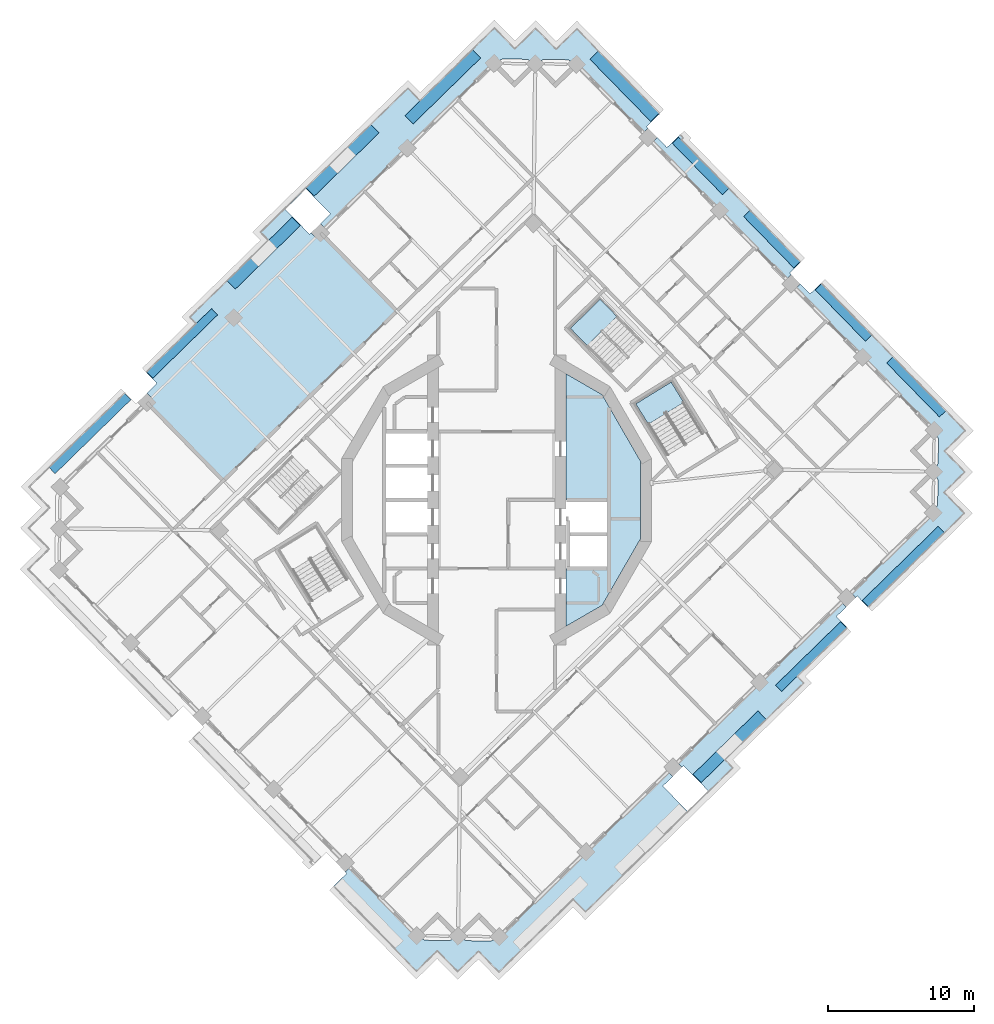
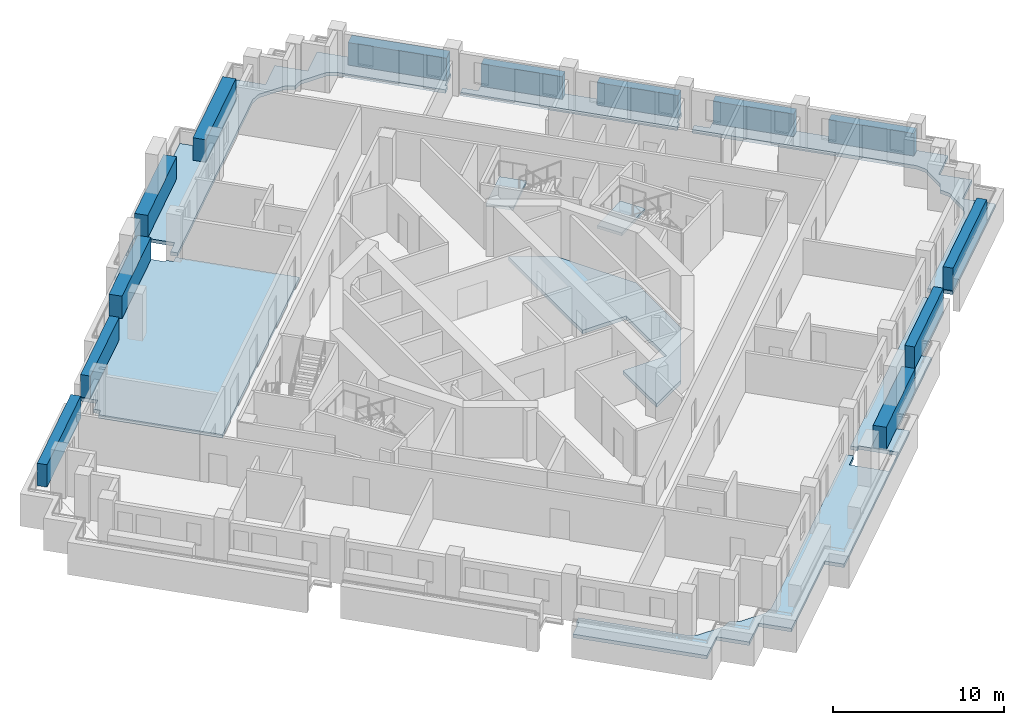
# One storey, part 3 of 17: 13 plates, 8 slabs, 2 elements without a shape of their own.
"""IFC4 building model written with IfcOpenShell, lengths in metres."""

from ifc_helpers import new_model, si_unit, direction, frame, origin, origin_2d, place, context, subcontext, project, spatial, polyline, rectangle, outline, extrude, material, layer, layer_set, type_object, element, aggregate, save


model = new_model("IFC4")

# Units and contexts
model_context = context("Model", 3, precision=1e-05, world=origin(), true_north=direction((0.0, 1.0)))
body_context = subcontext(model_context, "Body", "Model", "MODEL_VIEW")
ifc_project = project(units=[si_unit("LENGTHUNIT", "METRE"), si_unit("AREAUNIT", "SQUARE_METRE"), si_unit("VOLUMEUNIT", "CUBIC_METRE"), si_unit("PLANEANGLEUNIT", "RADIAN"), si_unit("MASSUNIT", "GRAM", prefix="KILO")], contexts=[model_context])

# Site, building, storey
site_placement = place(None, origin())
site = spatial("IfcSite", under=ifc_project, at=site_placement, CompositionType="ELEMENT")
building_placement = place(site_placement, origin())
building = spatial("IfcBuilding", under=site, at=building_placement, Name="Cantera Rosa Tower", CompositionType="ELEMENT")
storey_placement = place(building_placement, frame((0.0, 0.0, 227.0)))
storey = spatial("IfcBuildingStorey", under=building, at=storey_placement, Name="L49", CompositionType="ELEMENT", Elevation=227.0)

# Slabs
ifc_material_1 = material(Name="Concrete C35/45", Category="concrete")
ifc_layer_1 = layer(ifc_material_1, 0.25)
ifc_layer_set_1 = layer_set([ifc_layer_1], Name="COMPOSITE FLOOR SLAB 250 C35/45")
slab_type_1 = type_object("IfcSlabType", Name="COMPOSITE FLOOR SLAB 250 C35/45", PredefinedType="FLOOR", material=ifc_layer_set_1)
slab_1_placement = place(storey_placement, frame((0.0, 0.0, -0.25)))
element("IfcSlab", 1, at=slab_1_placement, inside=storey, type_object=slab_type_1, Name="SLAB L49 floor 3", PredefinedType="FLOOR", context=body_context, shape_type="SweptSolid", body=[
    extrude(outline(polyline([(7.699951171875, 0.0), (4.75, 0.0), (4.75, 8.660400390625), (7.22900390625, 7.22900390625), (9.875244140625, 2.64599609375), (9.875244140625, -2.64599609375), (7.22900390625, -7.22900390625), (4.75, -8.660400390625), (4.75, -4.699951171875), (7.699951171875, -4.699951171875), (7.699951171875, -2.35009765625), (7.699951171875, 0.0)])), origin(), (0.0, 0.0, 1.0), 0.25),
])
ifc_material_2 = material(Name="Concrete C35/45", Category="concrete")
ifc_layer_2 = layer(ifc_material_2, 0.25)
ifc_layer_set_2 = layer_set([ifc_layer_2], Name="LOGGIA SLAB 250 C35/45")
slab_type_2 = type_object("IfcSlabType", Name="LOGGIA SLAB 250 C35/45", PredefinedType="FLOOR", material=ifc_layer_set_2)
slab_2_placement = place(storey_placement, frame((0.0, 0.0, -0.25)))
element("IfcSlab", 2, at=slab_2_placement, inside=storey, type_object=slab_type_2, Name="LOGGIA SLAB L49 3", PredefinedType="FLOOR", context=body_context, shape_type="SweptSolid", body=[
    extrude(outline(polyline([(1.0341796875, 31.13818359375), (1.243896484375, 30.923583984375), (1.45849609375, 31.13330078125), (2.67431640625, 32.3212890625), (3.8623046875, 31.105224609375), (4.072021484375, 30.890625), (4.28662109375, 31.100341796875), (5.502685546875, 32.288330078125), (6.690673828125, 31.072265625), (11.177001953125, 26.480224609375), (10.282958984375, 25.606689453125), (10.3876953125, 25.499267578125), (10.06591796875, 25.184814453125), (5.474609375, 29.88427734375), (4.982666015625, 30.154541015625), (4.956298828125, 30.16748046875), (4.9287109375, 30.177734375), (4.900146484375, 30.185302734375), (4.87109375, 30.18994140625), (4.841796875, 30.191650390625), (3.2861328125, 30.209716796875), (3.2568359375, 30.208740234375), (3.2275390625, 30.20458984375), (3.198974609375, 30.197998046875), (3.171142578125, 30.188232421875), (3.144287109375, 30.176025390625), (2.646484375, 29.917236328125), (2.154541015625, 30.1875), (2.1279296875, 30.200439453125), (2.100341796875, 30.210693359375), (2.072021484375, 30.218017578125), (2.04296875, 30.222900390625), (2.013427734375, 30.224609375), (0.4580078125, 30.24267578125), (0.4287109375, 30.24169921875), (0.3994140625, 30.237548828125), (0.37060546875, 30.230712890625), (0.343017578125, 30.22119140625), (0.316162109375, 30.208984375), (-0.181884765625, 29.9501953125), (-0.883056640625, 29.26513671875), (-11.76220703125, 18.635986328125), (-12.076904296875, 18.9580078125), (-11.397216796875, 19.621826171875), (-13.074462890625, 21.33837890625), (-14.075927734375, 20.360107421875), (-14.107421875, 20.392578125), (-6.08544921875, 28.22998046875), (-5.25, 27.375), (-1.369873046875, 31.166015625), (-0.15380859375, 32.35400390625), (1.0341796875, 31.13818359375)])), origin(), (0.0, 0.0, 1.0), 0.25),
])
slab_3_placement = place(storey_placement, frame((0.0, 0.0, -0.25)))
element("IfcSlab", 3, at=slab_3_placement, inside=storey, type_object=slab_type_2, Name="LOGGIA SLAB L49 4", PredefinedType="FLOOR", context=body_context, shape_type="SweptSolid", body=[
    extrude(outline(polyline([(-1.243896484375, -30.923583984375), (-1.45849609375, -31.13330078125), (-2.67431640625, -32.3212890625), (-3.8623046875, -31.105224609375), (-4.072021484375, -30.890625), (-4.28662109375, -31.100341796875), (-5.502685546875, -32.288330078125), (-6.690673828125, -31.072265625), (-11.177001953125, -26.480224609375), (-10.282958984375, -25.606689453125), (-10.3876953125, -25.499267578125), (-10.06591796875, -25.184814453125), (-5.474609375, -29.88427734375), (-4.982666015625, -30.154541015625), (-4.956298828125, -30.16748046875), (-4.9287109375, -30.177734375), (-4.900146484375, -30.185302734375), (-4.87109375, -30.18994140625), (-4.841796875, -30.191650390625), (-3.2861328125, -30.209716796875), (-3.2568359375, -30.208740234375), (-3.2275390625, -30.20458984375), (-3.198974609375, -30.197998046875), (-3.171142578125, -30.188232421875), (-3.144287109375, -30.176025390625), (-2.646484375, -29.917236328125), (-2.154541015625, -30.1875), (-2.1279296875, -30.200439453125), (-2.100341796875, -30.210693359375), (-2.072021484375, -30.218017578125), (-2.04296875, -30.222900390625), (-2.013427734375, -30.224609375), (-0.4580078125, -30.24267578125), (-0.4287109375, -30.24169921875), (-0.3994140625, -30.237548828125), (-0.37060546875, -30.230712890625), (-0.343017578125, -30.22119140625), (-0.316162109375, -30.208984375), (0.181884765625, -29.9501953125), (0.883056640625, -29.26513671875), (11.76220703125, -18.635986328125), (12.076904296875, -18.9580078125), (11.397216796875, -19.621826171875), (13.074462890625, -21.33837890625), (14.505126953125, -19.94091796875), (12.827880859375, -18.22412109375), (12.720703125, -18.3291015625), (12.406005859375, -18.007080078125), (23.664794921875, -7.007568359375), (23.979248046875, -7.329345703125), (23.2998046875, -7.9931640625), (24.035888671875, -8.746826171875), (20.601806640625, -12.101806640625), (21.031982421875, -12.5419921875), (15.635986328125, -17.81396484375), (16.178466796875, -18.369140625), (6.08544921875, -28.22998046875), (5.25, -27.375), (1.369873046875, -31.166015625), (0.15380859375, -32.35400390625), (-1.0341796875, -31.13818359375), (-1.243896484375, -30.923583984375)])), origin(), (0.0, 0.0, 1.0), 0.25),
])
slab_4_placement = place(storey_placement, frame((0.0, 0.0, -0.25)))
element("IfcSlab", 4, at=slab_4_placement, inside=storey, type_object=slab_type_2, Name="LOGGIA SLAB L49 5", PredefinedType="FLOOR", context=body_context, shape_type="SweptSolid", body=[
    extrude(outline(polyline([(20.845703125, 16.2978515625), (20.094482421875, 15.56396484375), (20.199462890625, 15.456787109375), (19.87744140625, 15.14208984375), (10.69482421875, 24.541015625), (11.016845703125, 24.855712890625), (11.6806640625, 24.176025390625), (12.57470703125, 25.049560546875), (12.784423828125, 24.8349609375), (12.6513671875, 24.705078125), (17.42724609375, 19.81689453125), (17.417236328125, 19.806884765625), (20.216796875, 16.94140625), (20.845703125, 16.2978515625)])), origin(), (0.0, 0.0, 1.0), 0.25),
])
slab_5_placement = place(storey_placement, frame((0.0, 0.0, -0.25)))
element("IfcSlab", 5, at=slab_5_placement, inside=storey, type_object=slab_type_2, Name="LOGGIA SLAB L49 6", PredefinedType="FLOOR", context=body_context, shape_type="SweptSolid", body=[
    extrude(outline(polyline([(32.124755859375, 4.753173828125), (31.0517578125, 3.704833984375), (30.694091796875, 3.35546875), (31.043701171875, 2.997802734375), (32.091796875, 1.9248046875), (31.018798828125, 0.876708984375), (30.661376953125, 0.527099609375), (31.0107421875, 0.16943359375), (32.05908203125, -0.9033203125), (30.986083984375, -1.95166015625), (26.110107421875, -6.71533203125), (26.11279296875, -6.7177734375), (25.46630859375, -7.34912109375), (24.730224609375, -6.595703125), (24.622802734375, -6.700439453125), (24.30859375, -6.37841796875), (29.937744140625, -0.878662109375), (30.2080078125, -0.386962890625), (30.220947265625, -0.3603515625), (30.231201171875, -0.332763671875), (30.23876953125, -0.30419921875), (30.243408203125, -0.275146484375), (30.2451171875, -0.245849609375), (30.26318359375, 1.309814453125), (30.26220703125, 1.339111328125), (30.25830078125, 1.368408203125), (30.25146484375, 1.39697265625), (30.24169921875, 1.4248046875), (30.2294921875, 1.451416015625), (29.970703125, 1.949462890625), (30.240966796875, 2.44140625), (30.25390625, 2.4677734375), (30.26416015625, 2.495361328125), (30.271484375, 2.52392578125), (30.2763671875, 2.552978515625), (30.278076171875, 2.58251953125), (30.296142578125, 4.137939453125), (30.295166015625, 4.167236328125), (30.291015625, 4.196533203125), (30.2841796875, 4.22509765625), (30.274658203125, 4.2529296875), (30.262451171875, 4.27978515625), (30.003662109375, 4.777587890625), (20.506591796875, 14.49853515625), (20.828369140625, 14.81298828125), (21.4921875, 14.13330078125), (22.243408203125, 14.8671875), (22.313232421875, 14.795654296875), (25.12255859375, 11.920166015625), (27.218994140625, 9.7744140625), (31.076416015625, 5.825927734375), (32.124755859375, 4.753173828125)])), origin(), (0.0, 0.0, 1.0), 0.25),
])

# Plates
ifc_material_3 = material(Name="Cantera stone planter with soil", Category="masonry")
plate_type_1 = type_object("IfcPlateType", Name="PLANTER 600", PredefinedType="USERDEFINED", material=ifc_material_3)
plate_1_placement = place(storey_placement, frame((28.77587890625, 7.75146484375, 0.0), z_axis=(0.0, 0.0, 1.0), x_axis=(-0.698831540364, 0.71528629107, 0.0)))
element("IfcPlate", 6, at=plate_1_placement, inside=storey, type_object=plate_type_1, Name="PLANTER L49-01", ObjectType="PLANTER", PredefinedType="USERDEFINED", context=body_context, shape_type="SweptSolid", body=[
    extrude(rectangle(XDim=5.169921875, YDim=0.60009765625, at=origin_2d()), origin(), (0.0, 0.0, 1.0), 1.60009765625),
])
for number, where, z_axis, x_axis, name in (
    (7, (23.78271484375, 12.8623046875, 0.0), (0.0, 0.0, 1.0), (-0.698831540364, 0.71528629107, 0.0), "PLANTER L49-02"),
    (8, (18.876953125, 17.883544921875, 0.0), (0.0, 0.0, 1.0), (-0.698831540364, 0.71528629107, 0.0), "PLANTER L49-03"),
    (9, (13.981201171875, 22.91455078125, 0.0), (0.0, 0.0, 1.0), (-0.698831540364, 0.71528629107, 0.0), "PLANTER L49-04"),
):
    element("IfcPlate", number, at=place(storey_placement, frame(where, z_axis=z_axis, x_axis=x_axis)), inside=storey, type_object=plate_type_1, Name=name, ObjectType="PLANTER", PredefinedType="USERDEFINED", context=body_context, shape_type="SweptSolid", body=[
        extrude(rectangle(XDim=4.919921875, YDim=0.60009765625, at=origin_2d()), origin(), (0.0, 0.0, 1.0), 1.60009765625),
    ])
plate_2_placement = place(storey_placement, frame((-21.56591796875, 10.740478515625, 0.0), z_axis=(0.0, 0.0, 1.0), x_axis=(-0.71528629107, -0.698831540364, 0.0)))
element("IfcPlate", 10, at=plate_2_placement, inside=storey, type_object=plate_type_1, Name="PLANTER L49-09", ObjectType="PLANTER", PredefinedType="USERDEFINED", context=body_context, shape_type="SweptSolid", body=[
    extrude(rectangle(XDim=6.219970703125, YDim=0.60009765625, at=origin_2d()), origin(), (0.0, 0.0, 1.0), 1.60009765625),
])
plate_3_placement = place(storey_placement, frame((-27.89013671875, 4.556884765625, 0.0), z_axis=(0.0, 0.0, 1.0), x_axis=(-0.71528629107, -0.698831540364, 0.0)))
element("IfcPlate", 11, at=plate_3_placement, inside=storey, type_object=plate_type_1, Name="PLANTER L49-10", ObjectType="PLANTER", PredefinedType="USERDEFINED", context=body_context, shape_type="SweptSolid", body=[
    extrude(rectangle(XDim=7.27001953125, YDim=0.60009765625, at=origin_2d()), origin(), (0.0, 0.0, 1.0), 1.60009765625),
])
plate_4_placement = place(storey_placement, frame((21.56591796875, -10.740478515625, 0.0), z_axis=(0.0, 0.0, 1.0), x_axis=(0.71528629107, 0.698831540364, 0.0)))
element("IfcPlate", 12, at=plate_4_placement, inside=storey, type_object=plate_type_1, Name="PLANTER L49-19", ObjectType="PLANTER", PredefinedType="USERDEFINED", context=body_context, shape_type="SweptSolid", body=[
    extrude(rectangle(XDim=6.219970703125, YDim=0.60009765625, at=origin_2d()), origin(), (0.0, 0.0, 1.0), 1.60009765625),
])
plate_5_placement = place(storey_placement, frame((27.89013671875, -4.556884765625, 0.0), z_axis=(0.0, 0.0, 1.0), x_axis=(0.71528629107, 0.698831540364, 0.0)))
element("IfcPlate", 13, at=plate_5_placement, inside=storey, type_object=plate_type_1, Name="PLANTER L49-20", ObjectType="PLANTER", PredefinedType="USERDEFINED", context=body_context, shape_type="SweptSolid", body=[
    extrude(rectangle(XDim=7.27001953125, YDim=0.60009765625, at=origin_2d()), origin(), (0.0, 0.0, 1.0), 1.60009765625),
])
ifc_material_4 = material(Name="Cantera stone planter with soil", Category="masonry")
plate_type_2 = type_object("IfcPlateType", Name="PLANTER 800", PredefinedType="USERDEFINED", material=ifc_material_4)
plate_6_placement = place(storey_placement, frame((8.77001953125, 28.37158203125, 0.0), z_axis=(0.0, 0.0, 1.0), x_axis=(-0.698831540364, 0.71528629107, 0.0)))
element("IfcPlate", 14, at=plate_6_placement, inside=storey, type_object=plate_type_2, Name="PLANTER L49-05", ObjectType="PLANTER", PredefinedType="USERDEFINED", context=body_context, shape_type="SweptSolid", body=[
    extrude(rectangle(XDim=5.969970703125, YDim=0.800048828125, at=origin_2d()), origin(), (0.0, 0.0, 1.0), 1.60009765625),
])
plate_7_placement = place(storey_placement, frame((-3.6904296875, 28.33984375, 0.0), z_axis=(0.0, 0.0, 1.0), x_axis=(-0.71528629107, -0.698831540364, 0.0)))
element("IfcPlate", 15, at=plate_7_placement, inside=storey, type_object=plate_type_2, Name="PLANTER L49-06", ObjectType="PLANTER", PredefinedType="USERDEFINED", context=body_context, shape_type="SweptSolid", body=[
    extrude(rectangle(XDim=6.469970703125, YDim=0.800048828125, at=origin_2d()), origin(), (0.0, 0.0, 1.0), 1.60009765625),
])
for number, where, z_axis, x_axis, name in (
    (16, (-10.56640625, 23.29296875, 0.0), (0.0, 0.0, 1.0), (-0.71528629107, -0.698831540364, 0.0), "PLANTER L49-07"),
    (17, (-15.97509765625, 16.923583984375, 0.0), (0.0, 0.0, 1.0), (-0.71528629107, -0.698831540364, 0.0), "PLANTER L49-08"),
    (18, (15.97509765625, -16.923583984375, 0.0), (0.0, 0.0, 1.0), (0.71528629107, 0.698831540364, 0.0), "PLANTER L49-18"),
):
    element("IfcPlate", number, at=place(storey_placement, frame(where, z_axis=z_axis, x_axis=x_axis)), inside=storey, type_object=plate_type_2, Name=name, ObjectType="PLANTER", PredefinedType="USERDEFINED", context=body_context, shape_type="SweptSolid", body=[
        extrude(rectangle(XDim=6.219970703125, YDim=0.800048828125, at=origin_2d()), origin(), (0.0, 0.0, 1.0), 1.60009765625),
    ])

# Stair, slab
ifc_material_5 = material(Name="Concrete C35/45", Category="concrete")
stair_type = type_object("IfcStairType", Name="EXIT STAIR 1350 DOGLEG", PredefinedType="HALF_TURN_STAIR", material=ifc_material_5)
stair_1_placement = place(storey_placement, origin())
stair_1 = element("IfcStair", 19, at=stair_1_placement, inside=storey, type_object=stair_type, Name="L49 ST-41", PredefinedType="HALF_TURN_STAIR")
ifc_material_6 = material(Name="Concrete C35/45", Category="concrete")
ifc_layer_3 = layer(ifc_material_6, 0.199951171875)
ifc_layer_set_3 = layer_set([ifc_layer_3], Name="STAIR LANDING 200")
slab_type_3 = type_object("IfcSlabType", Name="STAIR LANDING 200", PredefinedType="LANDING", material=ifc_layer_set_3)
slab_6_placement = place(storey_placement, frame((0.0, 0.0, 1.60009765625)))
slab_6 = element("IfcSlab", 20, at=slab_6_placement, type_object=slab_type_3, Name="ST-41 landing 1", PredefinedType="LANDING", context=body_context, shape_type="SweptSolid", body=[
    extrude(outline(polyline([(12.8310546875, 6.691162109375), (11.96923828125, 8.088623046875), (9.54345703125, 6.592529296875), (10.405517578125, 5.19482421875), (12.8310546875, 6.691162109375)])), origin(), (0.0, 0.0, 1.0), 0.199951171875),
])
aggregate(stair_1, [slab_6])

stair_2_placement = place(storey_placement, origin())
stair_2 = element("IfcStair", 21, at=stair_2_placement, inside=storey, type_object=stair_type, Name="L49 ST-42", PredefinedType="HALF_TURN_STAIR")
slab_7_placement = place(storey_placement, frame((0.0, 0.0, 1.60009765625)))
slab_7 = element("IfcSlab", 22, at=slab_7_placement, type_object=slab_type_3, Name="ST-42 landing 1", PredefinedType="LANDING", context=body_context, shape_type="SweptSolid", body=[
    extrude(outline(polyline([(8.244873046875, 12.58837890625), (7.097412109375, 13.762939453125), (5.058837890625, 11.771240234375), (6.206298828125, 10.5966796875), (8.244873046875, 12.58837890625)])), origin(), (0.0, 0.0, 1.0), 0.199951171875),
])
aggregate(stair_2, [slab_7])

# Slab
ifc_material_7 = material(Name="Concrete C35/45", Category="concrete")
ifc_layer_4 = layer(ifc_material_7, 0.25)
ifc_layer_set_4 = layer_set([ifc_layer_4], Name="TERRACE SLAB 250 C35/45")
slab_type_4 = type_object("IfcSlabType", Name="TERRACE SLAB 250 C35/45", PredefinedType="FLOOR", material=ifc_layer_set_4)
slab_8_placement = place(storey_placement, frame((0.0, 0.0, -0.25)))
element("IfcSlab", 23, at=slab_8_placement, inside=storey, type_object=slab_type_4, Name="TERRACE SLAB L49 1", PredefinedType="FLOOR", context=body_context, shape_type="SweptSolid", body=[
    extrude(outline(polyline([(-18.745361328125, 1.328369140625), (-23.986572265625, 6.693115234375), (-23.664794921875, 7.007568359375), (-23.979248046875, 7.329345703125), (-23.2998046875, 7.9931640625), (-24.035888671875, 8.746826171875), (-20.601806640625, 12.101806640625), (-21.031982421875, 12.5419921875), (-15.635986328125, 17.81396484375), (-16.178466796875, 18.369140625), (-14.107421875, 20.392578125), (-14.075927734375, 20.360107421875), (-14.505126953125, 19.94091796875), (-12.827880859375, 18.22412109375), (-12.720703125, 18.3291015625), (-12.406005859375, 18.007080078125), (-12.084228515625, 18.321533203125), (-6.843017578125, 12.956787109375), (-18.745361328125, 1.328369140625)])), origin(), (0.0, 0.0, 1.0), 0.25),
])

save(model, "model.ifc")
